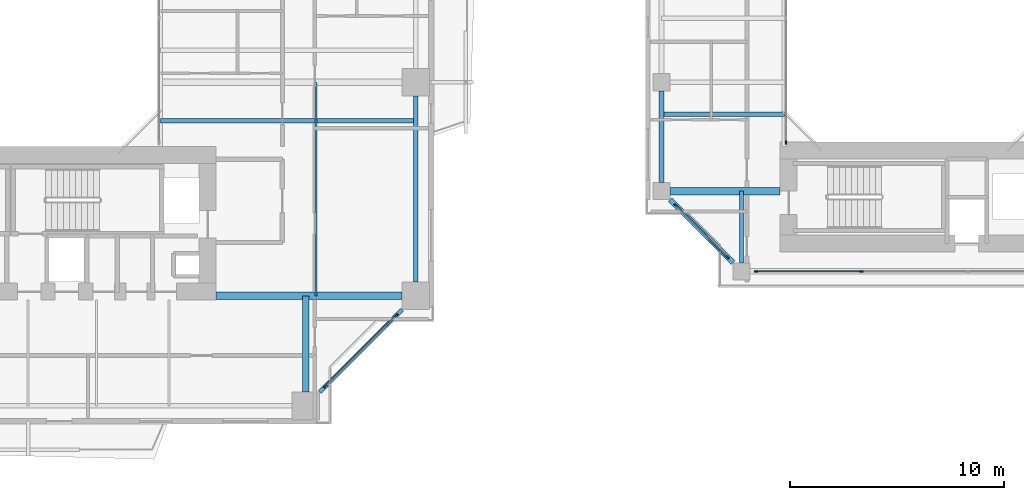
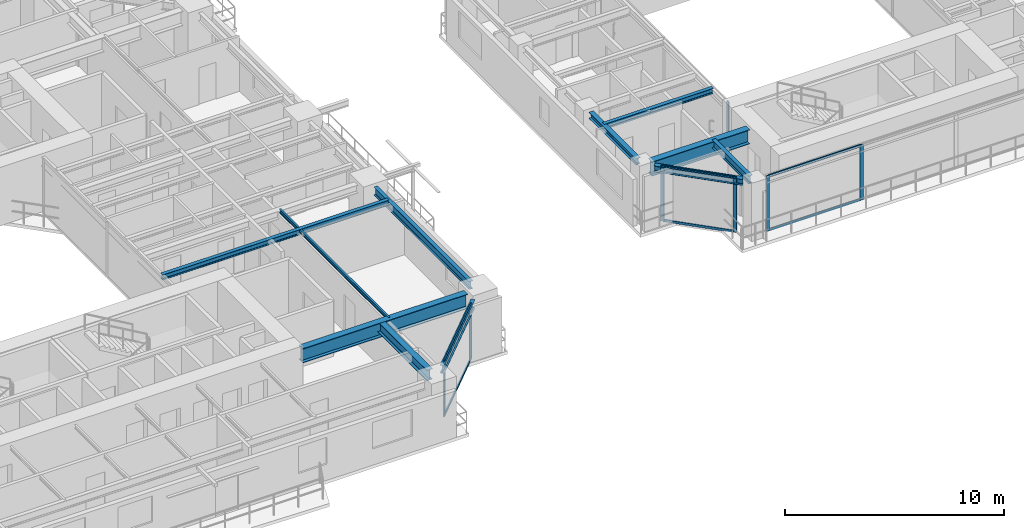
# One storey, part 5 of 23: 13 members, 11 beams, 4 elements without a shape of their own.
"""IFC4 building model written with IfcOpenShell, lengths in metres."""

from ifc_helpers import new_model, si_unit, direction, frame, origin, origin_2d, place, context, subcontext, project, spatial, rectangle, i_section, extrude, source, transform, mapped, material, layer, layer_set, material_profile, profile_set, type_object, element, aggregate, save


model = new_model("IFC4")

# Units and contexts
model_context = context("Model", 3, precision=1e-05, world=origin(), true_north=direction((0.0, 1.0)))
body_context = subcontext(model_context, "Body", "Model", "MODEL_VIEW")
ifc_project = project(units=[si_unit("LENGTHUNIT", "METRE"), si_unit("AREAUNIT", "SQUARE_METRE"), si_unit("VOLUMEUNIT", "CUBIC_METRE"), si_unit("PLANEANGLEUNIT", "RADIAN"), si_unit("MASSUNIT", "GRAM", prefix="KILO"), si_unit("THERMODYNAMICTEMPERATUREUNIT", "KELVIN"), si_unit("POWERUNIT", "WATT")], contexts=[model_context])

# Site, building, storey
site_placement = place(None, origin())
site = spatial("IfcSite", under=ifc_project, at=site_placement, CompositionType="ELEMENT")
building_placement = place(site_placement, origin())
building = spatial("IfcBuilding", under=site, at=building_placement, Name="Qiaomeng Ring Towers", CompositionType="ELEMENT")
storey_placement = place(building_placement, frame((0.0, 0.0, 82.75)))
storey = spatial("IfcBuildingStorey", under=building, at=storey_placement, Name="L23", CompositionType="ELEMENT", Elevation=82.75)

# Beams
ifc_material_1 = material(Name="Steel Q355B", Category="steel")
ifc_material_profile_1 = material_profile(ifc_material_1, i_section(OverallWidth=0.199951171875, OverallDepth=0.449951171875, WebThickness=0.009033203125, FlangeThickness=0.013916015625, FilletRadius=0.01806640625, at=origin_2d()), Name="HN 450x200x9x14")
ifc_profile_set_1 = profile_set([ifc_material_profile_1], Name="Steel Q355B")
beam_type_1 = type_object("IfcBeamType", Name="STR-BM-HN450", PredefinedType="SPANDREL", material=ifc_profile_set_1)
shared_shape_1 = source(origin(), body_context, "Body", "SweptSolid", [
    extrude(i_section(OverallWidth=0.199951171875, OverallDepth=0.449951171875, WebThickness=0.009033203125, FlangeThickness=0.013916015625, FilletRadius=0.01806640625, at=origin_2d()), origin(), (0.0, 0.0, 1.0), 5.446533203125),
])
beam_1_placement = place(storey_placement, frame((32.6494140625, 5.499267578125, 2.844970703125), z_axis=(0.707106781187, 0.707106781187, 0.0), x_axis=(-0.707106781187, 0.707106781187, 0.0)))
element("IfcBeam", 1, at=beam_1_placement, inside=storey, type_object=beam_type_1, Name="L23 beam STR-SP-L23-T1-S2-E1", PredefinedType="SPANDREL", context=body_context, shape_type="MappedRepresentation", body=[
    mapped(shared_shape_1, transform((0.0, 0.0, 0.0), x_axis=(1.0, 0.0, 0.0), y_axis=(0.0, 1.0, 0.0), z_axis=(0.0, 0.0, 1.0), scale=1.0)),
])
shared_shape_2 = source(origin(), body_context, "Body", "SweptSolid", [
    extrude(i_section(OverallWidth=0.199951171875, OverallDepth=0.449951171875, WebThickness=0.009033203125, FlangeThickness=0.013916015625, FilletRadius=0.01806640625, at=origin_2d()), origin(), (0.0, 0.0, 1.0), 8.7021484375),
])
beam_2_placement = place(storey_placement, frame((37.14990234375, 10.64892578125, 2.844970703125), z_axis=(0.0, 1.0, 0.0), x_axis=(-1.0, 0.0, 0.0)))
element("IfcBeam", 2, at=beam_2_placement, inside=storey, type_object=beam_type_1, Name="L23 beam STR-SP-L23-T1-E1-E2", PredefinedType="SPANDREL", context=body_context, shape_type="MappedRepresentation", body=[
    mapped(shared_shape_2, transform((0.0, 0.0, 0.0), x_axis=(1.0, 0.0, 0.0), y_axis=(0.0, 1.0, 0.0), z_axis=(0.0, 0.0, 1.0), scale=1.0)),
])
ifc_material_2 = material(Name="Steel Q390GJC", Category="steel")
ifc_material_profile_2 = material_profile(ifc_material_2, i_section(OverallWidth=0.35009765625, OverallDepth=0.800048828125, WebThickness=0.01611328125, FlangeThickness=0.028076171875, at=origin_2d()), Name="WH 800x350x16x28")
ifc_profile_set_2 = profile_set([ifc_material_profile_2], Name="Steel Q390GJC")
beam_type_2 = type_object("IfcBeamType", Name="STR-BM-WH800", PredefinedType="BEAM", material=ifc_profile_set_2)
shared_shape_3 = source(origin(), body_context, "Body", "SweptSolid", [
    extrude(i_section(OverallWidth=0.35009765625, OverallDepth=0.800048828125, WebThickness=0.01611328125, FlangeThickness=0.028076171875, at=origin_2d()), origin(), (0.0, 0.0, 1.0), 8.700927734375),
])
beam_3_placement = place(storey_placement, frame((27.800048828125, 10.0, 2.669921875), z_axis=(1.0, 0.0, 0.0), x_axis=(0.0, 1.0, 0.0)))
element("IfcBeam", 3, at=beam_3_placement, inside=storey, type_object=beam_type_2, Name="L23 beam STR-BM-L23-T1-RAD-E1", PredefinedType="BEAM", context=body_context, shape_type="MappedRepresentation", body=[
    mapped(shared_shape_3, transform((0.0, 0.0, 0.0), x_axis=(1.0, 0.0, 0.0), y_axis=(0.0, 1.0, 0.0), z_axis=(0.0, 0.0, 1.0), scale=1.0)),
])
ifc_material_profile_3 = material_profile(ifc_material_1, i_section(OverallWidth=0.300048828125, OverallDepth=0.587890625, WebThickness=0.011962890625, FlangeThickness=0.02001953125, FilletRadius=0.028076171875, at=origin_2d()), Name="HM 588x300x12x20")
ifc_profile_set_3 = profile_set([ifc_material_profile_3], Name="Steel Q355B")
beam_type_3 = type_object("IfcBeamType", Name="STR-BM-HM588", PredefinedType="BEAM", material=ifc_profile_set_3)
shared_shape_4 = source(origin(), body_context, "Body", "SweptSolid", [
    extrude(i_section(OverallWidth=0.300048828125, OverallDepth=0.587890625, WebThickness=0.011962890625, FlangeThickness=0.02001953125, FilletRadius=0.028076171875, at=origin_2d()), origin(), (0.0, 0.0, 1.0), 4.5009765625),
])
beam_4_placement = place(storey_placement, frame((32.0, 5.4990234375, 2.77587890625), z_axis=(0.0, 1.0, 0.0), x_axis=(-1.0, 0.0, 0.0)))
element("IfcBeam", 4, at=beam_4_placement, inside=storey, type_object=beam_type_3, Name="L23 beam STR-BM-L23-T1-RAD-S2", PredefinedType="BEAM", context=body_context, shape_type="MappedRepresentation", body=[
    mapped(shared_shape_4, transform((0.0, 0.0, 0.0), x_axis=(1.0, 0.0, 0.0), y_axis=(0.0, 1.0, 0.0), z_axis=(0.0, 0.0, 1.0), scale=1.0)),
])
ifc_material_profile_4 = material_profile(ifc_material_1, i_section(OverallWidth=0.199951171875, OverallDepth=0.2939453125, WebThickness=0.008056640625, FlangeThickness=0.011962890625, FilletRadius=0.01806640625, at=origin_2d()), Name="HM 294x200x8x12")
ifc_profile_set_4 = profile_set([ifc_material_profile_4], Name="Steel Q355B")
beam_type_4 = type_object("IfcBeamType", Name="STR-BM-HM294", PredefinedType="JOIST", material=ifc_profile_set_4)
shared_shape_5 = source(origin(), body_context, "Body", "SweptSolid", [
    extrude(i_section(OverallWidth=0.199951171875, OverallDepth=0.2939453125, WebThickness=0.008056640625, FlangeThickness=0.011962890625, FilletRadius=0.01806640625, at=origin_2d()), origin(), (0.0, 0.0, 1.0), 11.949951171875),
])
beam_5_placement = place(storey_placement, frame((25.199951171875, 18.199951171875, 2.923095703125), z_axis=(1.0, 0.0, 0.0), x_axis=(0.0, 1.0, 0.0)))
element("IfcBeam", 5, at=beam_5_placement, inside=storey, type_object=beam_type_4, Name="L23 beam STR-JST-L23-T1E-1", PredefinedType="JOIST", context=body_context, shape_type="MappedRepresentation", body=[
    mapped(shared_shape_5, transform((0.0, 0.0, 0.0), x_axis=(1.0, 0.0, 0.0), y_axis=(0.0, 1.0, 0.0), z_axis=(0.0, 0.0, 1.0), scale=1.0)),
])
ifc_material_profile_5 = material_profile(ifc_material_1, i_section(OverallWidth=0.10009765625, OverallDepth=0.199951171875, WebThickness=0.005615234375, FlangeThickness=0.008056640625, FilletRadius=0.010986328125, at=origin_2d()), Name="HN 200x100x5.5x8")
ifc_profile_set_5 = profile_set([ifc_material_profile_5], Name="Steel Q355B")
beam_type_5 = type_object("IfcBeamType", Name="STR-BM-HN200", PredefinedType="JOIST", material=ifc_profile_set_5)
shared_shape_6 = source(origin(), body_context, "Body", "SweptSolid", [
    extrude(i_section(OverallWidth=0.10009765625, OverallDepth=0.199951171875, WebThickness=0.005615234375, FlangeThickness=0.008056640625, FilletRadius=0.010986328125, at=origin_2d()), origin(), (0.0, 0.0, 1.0), 10.0),
])
beam_6_placement = place(storey_placement, frame((32.47509765625, 10.0, 2.969970703125), z_axis=(0.0, 1.0, 0.0), x_axis=(-1.0, 0.0, 0.0)))
element("IfcBeam", 6, at=beam_6_placement, inside=storey, type_object=beam_type_5, Name="L23 beam STR-JST-L23-T1C-ES", PredefinedType="JOIST", context=body_context, shape_type="MappedRepresentation", body=[
    mapped(shared_shape_6, transform((0.0, 0.0, 0.0), x_axis=(1.0, 0.0, 0.0), y_axis=(0.0, 1.0, 0.0), z_axis=(0.0, 0.0, 1.0), scale=1.0)),
])
ifc_material_profile_6 = material_profile(ifc_material_1, i_section(OverallWidth=0.25, OverallDepth=0.340087890625, WebThickness=0.009033203125, FlangeThickness=0.013916015625, FilletRadius=0.02001953125, at=origin_2d()), Name="HM 340x250x9x14")
ifc_profile_set_6 = profile_set([ifc_material_profile_6], Name="Steel Q355B")
beam_type_6 = type_object("IfcBeamType", Name="STR-BM-HM340", PredefinedType="SPANDREL", material=ifc_profile_set_6)
shared_shape_7 = source(origin(), body_context, "Body", "SweptSolid", [
    extrude(i_section(OverallWidth=0.25, OverallDepth=0.340087890625, WebThickness=0.009033203125, FlangeThickness=0.013916015625, FilletRadius=0.02001953125, at=origin_2d()), origin(), (0.0, 0.0, 1.0), 4.173828125),
])
beam_7_placement = place(storey_placement, frame((49.04931640625, 14.500732421875, 2.89990234375), z_axis=(0.707106781187, -0.707106781187, 0.0), x_axis=(0.707106781187, 0.707106781187, 0.0)))
element("IfcBeam", 7, at=beam_7_placement, inside=storey, type_object=beam_type_6, Name="L23 beam STR-SP-L23-T2-W1-S1", PredefinedType="SPANDREL", context=body_context, shape_type="MappedRepresentation", body=[
    mapped(shared_shape_7, transform((0.0, 0.0, 0.0), x_axis=(1.0, 0.0, 0.0), y_axis=(0.0, 1.0, 0.0), z_axis=(0.0, 0.0, 1.0), scale=1.0)),
])
shared_shape_8 = source(origin(), body_context, "Body", "SweptSolid", [
    extrude(i_section(OverallWidth=0.25, OverallDepth=0.340087890625, WebThickness=0.009033203125, FlangeThickness=0.013916015625, FilletRadius=0.02001953125, at=origin_2d()), origin(), (0.0, 0.0, 1.0), 4.302001953125),
])
beam_8_placement = place(storey_placement, frame((48.64990234375, 19.60107421875, 2.89990234375), z_axis=(0.0, -1.0, 0.0), x_axis=(1.0, 0.0, 0.0)))
element("IfcBeam", 8, at=beam_8_placement, inside=storey, type_object=beam_type_6, Name="L23 beam STR-SP-L23-T2-W2-W1", PredefinedType="SPANDREL", context=body_context, shape_type="MappedRepresentation", body=[
    mapped(shared_shape_8, transform((0.0, 0.0, 0.0), x_axis=(1.0, 0.0, 0.0), y_axis=(0.0, 1.0, 0.0), z_axis=(0.0, 0.0, 1.0), scale=1.0)),
])
shared_shape_9 = source(origin(), body_context, "Body", "SweptSolid", [
    extrude(i_section(OverallWidth=0.35009765625, OverallDepth=0.800048828125, WebThickness=0.01611328125, FlangeThickness=0.028076171875, at=origin_2d()), origin(), (0.0, 0.0, 1.0), 5.15087890625),
])
beam_9_placement = place(storey_placement, frame((49.049072265625, 14.89990234375, 2.669921875), z_axis=(1.0, 0.0, 0.0), x_axis=(0.0, 1.0, 0.0)))
element("IfcBeam", 9, at=beam_9_placement, inside=storey, type_object=beam_type_2, Name="L23 beam STR-BM-L23-T2-RAD-W1", PredefinedType="BEAM", context=body_context, shape_type="MappedRepresentation", body=[
    mapped(shared_shape_9, transform((0.0, 0.0, 0.0), x_axis=(1.0, 0.0, 0.0), y_axis=(0.0, 1.0, 0.0), z_axis=(0.0, 0.0, 1.0), scale=1.0)),
])
shared_shape_10 = source(origin(), body_context, "Body", "SweptSolid", [
    extrude(i_section(OverallWidth=0.199951171875, OverallDepth=0.449951171875, WebThickness=0.009033203125, FlangeThickness=0.013916015625, FilletRadius=0.01806640625, at=origin_2d()), origin(), (0.0, 0.0, 1.0), 3.350830078125),
])
beam_10_placement = place(storey_placement, frame((52.39990234375, 11.549072265625, 2.844970703125), z_axis=(0.0, 1.0, 0.0), x_axis=(-1.0, 0.0, 0.0)))
element("IfcBeam", 10, at=beam_10_placement, inside=storey, type_object=beam_type_1, Name="L23 beam STR-BM-L23-T2-RAD-S1", PredefinedType="SPANDREL", context=body_context, shape_type="MappedRepresentation", body=[
    mapped(shared_shape_10, transform((0.0, 0.0, 0.0), x_axis=(1.0, 0.0, 0.0), y_axis=(0.0, 1.0, 0.0), z_axis=(0.0, 0.0, 1.0), scale=1.0)),
])
shared_shape_11 = source(origin(), body_context, "Body", "SweptSolid", [
    extrude(i_section(OverallWidth=0.199951171875, OverallDepth=0.2939453125, WebThickness=0.008056640625, FlangeThickness=0.011962890625, FilletRadius=0.01806640625, at=origin_2d()), origin(), (0.0, 0.0, 1.0), 5.75),
])
beam_11_placement = place(storey_placement, frame((48.64990234375, 18.5, 2.923095703125), z_axis=(1.0, 0.0, 0.0), x_axis=(0.0, 1.0, 0.0)))
element("IfcBeam", 11, at=beam_11_placement, inside=storey, type_object=beam_type_4, Name="L23 beam STR-JST-L23-T2W-1", PredefinedType="JOIST", context=body_context, shape_type="MappedRepresentation", body=[
    mapped(shared_shape_11, transform((0.0, 0.0, 0.0), x_axis=(1.0, 0.0, 0.0), y_axis=(0.0, 1.0, 0.0), z_axis=(0.0, 0.0, 1.0), scale=1.0)),
])

# Curtain wall, member
ifc_material_3 = material(Name="Fluorocarbon dark-grey aluminium", Category="aluminium")
ifc_layer_1 = layer(ifc_material_3, 0.139892578125, Name="Fluorocarbon dark-grey aluminium")
ifc_layer_set_1 = layer_set([ifc_layer_1], Name="Fluorocarbon dark-grey aluminium")
curtain_wall_type_1 = type_object("IfcCurtainWallType", Name="ARC-CW-4", PredefinedType="NOTDEFINED", material=ifc_layer_set_1)
curtain_wall_1_placement = place(storey_placement, origin())
curtain_wall_1 = element("IfcCurtainWall", 12, at=curtain_wall_1_placement, inside=storey, type_object=curtain_wall_type_1, Name="L23 Curtain Wall CW4", PredefinedType="NOTDEFINED")
ifc_material_profile_7 = material_profile(ifc_material_3, rectangle(XDim=0.06494140625, YDim=0.159912109375, at=origin_2d()), Name="ALU MULL 65x160")
ifc_profile_set_7 = profile_set([ifc_material_profile_7], Name="Fluorocarbon dark-grey aluminium")
member_type_1 = type_object("IfcMemberType", Name="ARC-CWM-140", PredefinedType="MULLION", material=ifc_profile_set_7)
shared_shape_12 = source(origin(), body_context, "Body", "SweptSolid", [
    extrude(rectangle(XDim=0.06494140625, YDim=0.159912109375, at=origin_2d()), origin(), (0.0, 0.0, 1.0), 3.070068359375),
])
member_1_placement = place(storey_placement, frame((54.47998046875, 17.1826171875, 0.0), z_axis=(0.0, 0.0, 1.0), x_axis=(-1.0, 0.0, 0.0)))
member_1 = element("IfcMember", 13, at=member_1_placement, type_object=member_type_1, Name="CW4 mullion 1", PredefinedType="MULLION", context=body_context, shape_type="MappedRepresentation", body=[
    mapped(shared_shape_12, transform((0.0, 0.0, 0.0), x_axis=(1.0, 0.0, 0.0), y_axis=(0.0, 1.0, 0.0), z_axis=(0.0, 0.0, 1.0), scale=1.0)),
])
aggregate(curtain_wall_1, [member_1])

# Curtain wall, members
ifc_layer_2 = layer(ifc_material_3, 0.159912109375, Name="Fluorocarbon dark-grey aluminium")
ifc_layer_set_2 = layer_set([ifc_layer_2], Name="Fluorocarbon dark-grey aluminium")
curtain_wall_type_2 = type_object("IfcCurtainWallType", Name="ARC-CW-2", PredefinedType="NOTDEFINED", material=ifc_layer_set_2)
curtain_wall_2_placement = place(storey_placement, origin())
curtain_wall_2 = element("IfcCurtainWall", 14, at=curtain_wall_2_placement, inside=storey, type_object=curtain_wall_type_2, Name="L23 Curtain Wall CW2", PredefinedType="NOTDEFINED")
ifc_material_profile_8 = material_profile(ifc_material_3, rectangle(XDim=0.070068359375, YDim=0.179931640625, at=origin_2d()), Name="ALU MULL 70x180")
ifc_profile_set_8 = profile_set([ifc_material_profile_8], Name="Fluorocarbon dark-grey aluminium")
member_type_2 = type_object("IfcMemberType", Name="ARC-CWM-160", PredefinedType="MULLION", material=ifc_profile_set_8)
shared_shape_13 = source(origin(), body_context, "Body", "SweptSolid", [
    extrude(rectangle(XDim=0.070068359375, YDim=0.179931640625, at=origin_2d()), origin(), (0.0, 0.0, 1.0), 3.070068359375),
])
member_2_placement = place(storey_placement, frame((32.914794921875, 5.7646484375, 0.0), z_axis=(0.0, 0.0, 1.0), x_axis=(-0.707106781187, 0.707106781187, 0.0)))
member_2 = element("IfcMember", 15, at=member_2_placement, type_object=member_type_2, Name="CW2 mullion 1", PredefinedType="MULLION", context=body_context, shape_type="MappedRepresentation", body=[
    mapped(shared_shape_13, transform((0.0, 0.0, 0.0), x_axis=(1.0, 0.0, 0.0), y_axis=(0.0, 1.0, 0.0), z_axis=(0.0, 0.0, 1.0), scale=1.0)),
])
member_3_placement = place(storey_placement, frame((36.2353515625, 9.085205078125, 0.0), z_axis=(0.0, 0.0, 1.0), x_axis=(-0.707106781187, 0.707106781187, 0.0)))
member_3 = element("IfcMember", 16, at=member_3_placement, type_object=member_type_2, Name="CW2 mullion 2", PredefinedType="MULLION", context=body_context, shape_type="MappedRepresentation", body=[
    mapped(shared_shape_13, transform((0.0, 0.0, 0.0), x_axis=(1.0, 0.0, 0.0), y_axis=(0.0, 1.0, 0.0), z_axis=(0.0, 0.0, 1.0), scale=1.0)),
])

ifc_layer_3 = layer(ifc_material_3, 0.14990234375, Name="Fluorocarbon dark-grey aluminium")
ifc_layer_set_3 = layer_set([ifc_layer_3], Name="Fluorocarbon dark-grey aluminium")
curtain_wall_type_3 = type_object("IfcCurtainWallType", Name="ARC-CW-5", PredefinedType="NOTDEFINED", material=ifc_layer_set_3)
curtain_wall_3_placement = place(storey_placement, origin())
curtain_wall_3 = element("IfcCurtainWall", 17, at=curtain_wall_3_placement, inside=storey, type_object=curtain_wall_type_3, Name="L23 Curtain Wall CW5", PredefinedType="NOTDEFINED")
member_4_placement = place(storey_placement, frame((49.314697265625, 14.2353515625, 0.0), z_axis=(0.0, 0.0, 1.0), x_axis=(0.707106781187, 0.707106781187, 0.0)))
member_4 = element("IfcMember", 18, at=member_4_placement, type_object=member_type_2, Name="CW5 mullion 1", PredefinedType="MULLION", context=body_context, shape_type="MappedRepresentation", body=[
    mapped(shared_shape_13, transform((0.0, 0.0, 0.0), x_axis=(1.0, 0.0, 0.0), y_axis=(0.0, 1.0, 0.0), z_axis=(0.0, 0.0, 1.0), scale=1.0)),
])
member_5_placement = place(storey_placement, frame((51.7353515625, 11.814697265625, 0.0), z_axis=(0.0, 0.0, 1.0), x_axis=(0.707106781187, 0.707106781187, 0.0)))
member_5 = element("IfcMember", 19, at=member_5_placement, type_object=member_type_2, Name="CW5 mullion 2", PredefinedType="MULLION", context=body_context, shape_type="MappedRepresentation", body=[
    mapped(shared_shape_13, transform((0.0, 0.0, 0.0), x_axis=(1.0, 0.0, 0.0), y_axis=(0.0, 1.0, 0.0), z_axis=(0.0, 0.0, 1.0), scale=1.0)),
])

curtain_wall_4_placement = place(storey_placement, origin())
curtain_wall_4 = element("IfcCurtainWall", 20, at=curtain_wall_4_placement, inside=storey, type_object=curtain_wall_type_3, Name="L23 Curtain Wall CW5", PredefinedType="NOTDEFINED")
member_6_placement = place(storey_placement, frame((53.074951171875, 11.14990234375, 0.0), z_axis=(0.0, 0.0, 1.0), x_axis=(0.0, 1.0, 0.0)))
member_6 = element("IfcMember", 21, at=member_6_placement, type_object=member_type_2, Name="CW5 mullion 1", PredefinedType="MULLION", context=body_context, shape_type="MappedRepresentation", body=[
    mapped(shared_shape_13, transform((0.0, 0.0, 0.0), x_axis=(1.0, 0.0, 0.0), y_axis=(0.0, 1.0, 0.0), z_axis=(0.0, 0.0, 1.0), scale=1.0)),
])
member_7_placement = place(storey_placement, frame((58.013427734375, 11.14990234375, 0.0), z_axis=(0.0, 0.0, 1.0), x_axis=(0.0, 1.0, 0.0)))
member_7 = element("IfcMember", 22, at=member_7_placement, type_object=member_type_2, Name="CW5 mullion 2", PredefinedType="MULLION", context=body_context, shape_type="MappedRepresentation", body=[
    mapped(shared_shape_13, transform((0.0, 0.0, 0.0), x_axis=(1.0, 0.0, 0.0), y_axis=(0.0, 1.0, 0.0), z_axis=(0.0, 0.0, 1.0), scale=1.0)),
])

# Member
ifc_material_profile_9 = material_profile(ifc_material_3, rectangle(XDim=0.06494140625, YDim=0.1298828125, at=origin_2d()), Name="ALU TRAN 65x130")
ifc_profile_set_9 = profile_set([ifc_material_profile_9], Name="Fluorocarbon dark-grey aluminium")
member_type_3 = type_object("IfcMemberType", Name="ARC-CWT-120", PredefinedType="USERDEFINED", material=ifc_profile_set_9)
shared_shape_14 = source(origin(), body_context, "Body", "SweptSolid", [
    extrude(rectangle(XDim=0.06494140625, YDim=0.1298828125, at=origin_2d()), origin(), (0.0, 0.0, 1.0), 4.6259765625),
])
member_8_placement = place(storey_placement, frame((32.939453125, 5.78955078125, 0.032470703125), z_axis=(0.707106781187, 0.707106781187, 0.0), x_axis=(-0.707106781187, 0.707106781187, 0.0)))
member_8 = element("IfcMember", 23, at=member_8_placement, type_object=member_type_3, Name="CW2 transom 1.1", ObjectType="TRANSOM", PredefinedType="USERDEFINED", context=body_context, shape_type="MappedRepresentation", body=[
    mapped(shared_shape_14, transform((0.0, 0.0, 0.0), x_axis=(1.0, 0.0, 0.0), y_axis=(0.0, 1.0, 0.0), z_axis=(0.0, 0.0, 1.0), scale=1.0)),
])

member_9_placement = place(storey_placement, frame((32.939453125, 5.78955078125, 3.03759765625), z_axis=(0.707106781187, 0.707106781187, 0.0), x_axis=(-0.707106781187, 0.707106781187, 0.0)))
member_9 = element("IfcMember", 24, at=member_9_placement, type_object=member_type_3, Name="CW2 transom 1.2", ObjectType="TRANSOM", PredefinedType="USERDEFINED", context=body_context, shape_type="MappedRepresentation", body=[
    mapped(shared_shape_14, transform((0.0, 0.0, 0.0), x_axis=(1.0, 0.0, 0.0), y_axis=(0.0, 1.0, 0.0), z_axis=(0.0, 0.0, 1.0), scale=1.0)),
])

aggregate(curtain_wall_2, [member_2, member_3, member_8, member_9])

shared_shape_15 = source(origin(), body_context, "Body", "SweptSolid", [
    extrude(rectangle(XDim=0.06494140625, YDim=0.1298828125, at=origin_2d()), origin(), (0.0, 0.0, 1.0), 4.8681640625),
])
member_10_placement = place(storey_placement, frame((53.110107421875, 11.14990234375, 0.032470703125), z_axis=(1.0, 0.0, 0.0), x_axis=(0.0, 1.0, 0.0)))
member_10 = element("IfcMember", 25, at=member_10_placement, type_object=member_type_3, Name="CW5 transom 1.1", ObjectType="TRANSOM", PredefinedType="USERDEFINED", context=body_context, shape_type="MappedRepresentation", body=[
    mapped(shared_shape_15, transform((0.0, 0.0, 0.0), x_axis=(1.0, 0.0, 0.0), y_axis=(0.0, 1.0, 0.0), z_axis=(0.0, 0.0, 1.0), scale=1.0)),
])

member_11_placement = place(storey_placement, frame((53.110107421875, 11.14990234375, 3.03759765625), z_axis=(1.0, 0.0, 0.0), x_axis=(0.0, 1.0, 0.0)))
member_11 = element("IfcMember", 26, at=member_11_placement, type_object=member_type_3, Name="CW5 transom 1.2", ObjectType="TRANSOM", PredefinedType="USERDEFINED", context=body_context, shape_type="MappedRepresentation", body=[
    mapped(shared_shape_15, transform((0.0, 0.0, 0.0), x_axis=(1.0, 0.0, 0.0), y_axis=(0.0, 1.0, 0.0), z_axis=(0.0, 0.0, 1.0), scale=1.0)),
])

aggregate(curtain_wall_4, [member_6, member_7, member_10, member_11])

shared_shape_16 = source(origin(), body_context, "Body", "SweptSolid", [
    extrude(rectangle(XDim=0.06494140625, YDim=0.1298828125, at=origin_2d()), origin(), (0.0, 0.0, 1.0), 3.352783203125),
])
member_12_placement = place(storey_placement, frame((49.339599609375, 14.21044921875, 0.032470703125), z_axis=(0.707106781187, -0.707106781187, 0.0), x_axis=(0.707106781187, 0.707106781187, 0.0)))
member_12 = element("IfcMember", 27, at=member_12_placement, type_object=member_type_3, Name="CW5 transom 1.1", ObjectType="TRANSOM", PredefinedType="USERDEFINED", context=body_context, shape_type="MappedRepresentation", body=[
    mapped(shared_shape_16, transform((0.0, 0.0, 0.0), x_axis=(1.0, 0.0, 0.0), y_axis=(0.0, 1.0, 0.0), z_axis=(0.0, 0.0, 1.0), scale=1.0)),
])

member_13_placement = place(storey_placement, frame((49.339599609375, 14.21044921875, 3.03759765625), z_axis=(0.707106781187, -0.707106781187, 0.0), x_axis=(0.707106781187, 0.707106781187, 0.0)))
member_13 = element("IfcMember", 28, at=member_13_placement, type_object=member_type_3, Name="CW5 transom 1.2", ObjectType="TRANSOM", PredefinedType="USERDEFINED", context=body_context, shape_type="MappedRepresentation", body=[
    mapped(shared_shape_16, transform((0.0, 0.0, 0.0), x_axis=(1.0, 0.0, 0.0), y_axis=(0.0, 1.0, 0.0), z_axis=(0.0, 0.0, 1.0), scale=1.0)),
])

aggregate(curtain_wall_3, [member_4, member_5, member_12, member_13])

save(model, "model.ifc")
